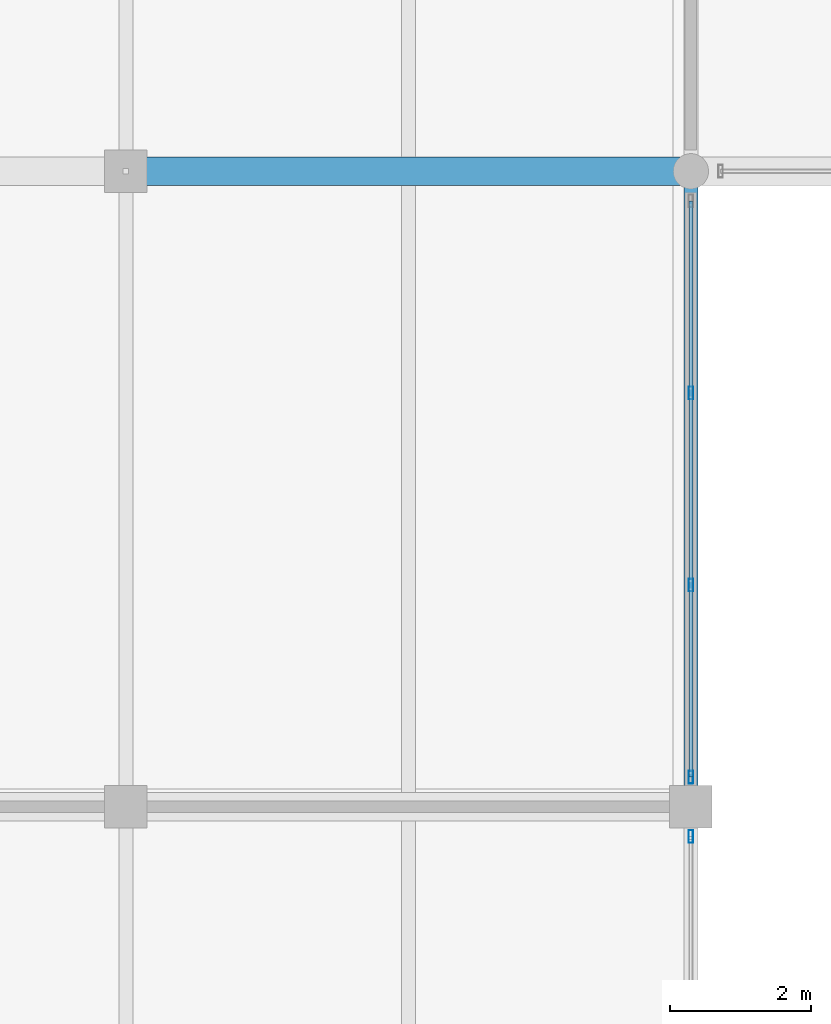
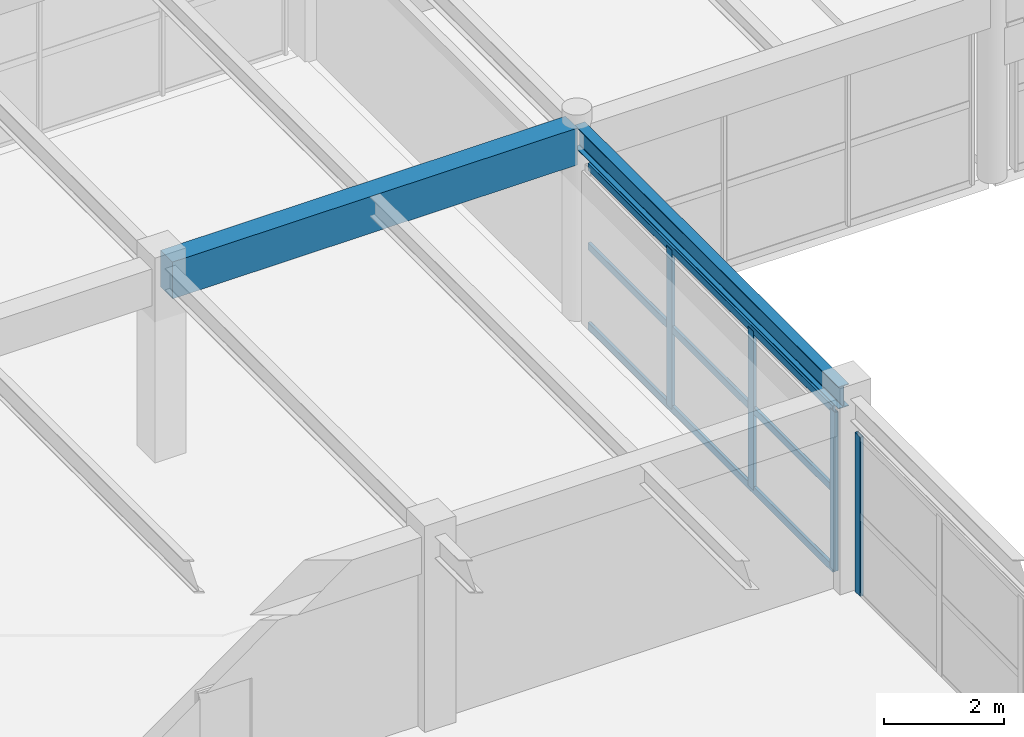
# One storey, part 16 of 126: 7 members, 2 beams, 2 elements without a shape of their own.
"""IFC4 building model written with IfcOpenShell, lengths in metres."""

from ifc_helpers import new_model, si_unit, direction, frame, origin, origin_2d, place, context, subcontext, project, spatial, rectangle, hollow_rectangle, i_section, extrude, material, material_profile, profile_set, type_object, element, aggregate, save


model = new_model("IFC4")

# Units and contexts
model_context = context("Model", 3, precision=1e-05, world=origin(), true_north=direction((0.0, 1.0)))
body_context = subcontext(model_context, "Body", "Model", "MODEL_VIEW")
ifc_project = project(units=[si_unit("LENGTHUNIT", "METRE"), si_unit("AREAUNIT", "SQUARE_METRE"), si_unit("VOLUMEUNIT", "CUBIC_METRE"), si_unit("PLANEANGLEUNIT", "RADIAN"), si_unit("MASSUNIT", "GRAM", prefix="KILO")], contexts=[model_context])

# Site, building, storey
site_placement = place(None, origin())
site = spatial("IfcSite", under=ifc_project, at=site_placement, CompositionType="ELEMENT")
building_placement = place(site_placement, origin())
building = spatial("IfcBuilding", under=site, at=building_placement, Name="Varnabhumi Central Station", CompositionType="ELEMENT")
storey_placement = place(building_placement, frame((0.0, 0.0, 16.199951171875)))
storey = spatial("IfcBuildingStorey", under=building, at=storey_placement, Name="L03", CompositionType="ELEMENT", Elevation=16.199951171875)

# Beams
ifc_material_1 = material(Name="Concrete M40", Category="concrete")
ifc_material_profile_1 = material_profile(ifc_material_1, rectangle(XDim=0.39990234375, YDim=0.75, at=origin_2d()), Name="Concrete M40", Category="concrete")
ifc_profile_set_1 = profile_set([ifc_material_profile_1], Name="Concrete M40")
beam_type_1 = type_object("IfcBeamType", Name="BM-RC-400x750", PredefinedType="BEAM", material=ifc_profile_set_1)
beam_1_placement = place(storey_placement, frame((104.10009765625, 27.0, 3.545166015625), z_axis=(1.0, 0.0, 0.0), x_axis=(0.0, 1.0, 0.0)))
element("IfcBeam", 1, at=beam_1_placement, inside=storey, type_object=beam_type_1, Name="Beam L03-D:14-15", PredefinedType="BEAM", context=body_context, shape_type="SweptSolid", body=[
    extrude(rectangle(XDim=0.39990234375, YDim=0.75, at=origin_2d()), origin(), (0.0, 0.0, 1.0), 7.7998046875),
])
ifc_material_2 = material(Name="Structural steel E350", Category="steel")
ifc_material_profile_2 = material_profile(ifc_material_2, i_section(OverallWidth=0.199951171875, OverallDepth=0.449951171875, WebThickness=0.00927734375, FlangeThickness=0.015380859375, FilletRadius=0.013916015625, at=origin_2d()), Name="Structural steel E350", Category="steel")
ifc_profile_set_2 = profile_set([ifc_material_profile_2], Name="Structural steel E350")
beam_type_2 = type_object("IfcBeamType", Name="BM-STL-ISWB450", PredefinedType="BEAM", material=ifc_profile_set_2)
beam_2_placement = place(storey_placement, frame((112.0, 18.10009765625, 3.695068359375), z_axis=(0.0, 1.0, 0.0), x_axis=(-1.0, 0.0, 0.0)))
element("IfcBeam", 2, at=beam_2_placement, inside=storey, type_object=beam_type_2, Name="Beam L03-15:C-D", PredefinedType="BEAM", context=body_context, shape_type="SweptSolid", body=[
    extrude(i_section(OverallWidth=0.199951171875, OverallDepth=0.449951171875, WebThickness=0.00927734375, FlangeThickness=0.015380859375, FilletRadius=0.013916015625, at=origin_2d()), origin(), (0.0, 0.0, 1.0), 8.7998046875),
])

# Curtain wall, member
ifc_material_3 = material(Name="Anodised aluminium 6063-T6", Category="aluminium")
curtain_wall_type = type_object("IfcCurtainWallType", Name="CW-PATIO-LOGGIA-L3", PredefinedType="NOTDEFINED", material=ifc_material_3)
curtain_wall_1_placement = place(storey_placement, origin())
curtain_wall_1 = element("IfcCurtainWall", 3, at=curtain_wall_1_placement, inside=storey, type_object=curtain_wall_type, Name="Curtain Wall CW-SP3E1", PredefinedType="NOTDEFINED")
ifc_material_profile_3 = material_profile(ifc_material_3, hollow_rectangle(XDim=0.06494140625, YDim=0.179931640625, WallThickness=0.00390625, InnerFilletRadius=0.001953125, OuterFilletRadius=0.006103515625, at=origin_2d()), Name="Anodised aluminium 6063-T6", Category="aluminium")
ifc_profile_set_3 = profile_set([ifc_material_profile_3], Name="Anodised aluminium 6063-T6")
member_type_1 = type_object("IfcMemberType", Name="CW-MUL-180", PredefinedType="MULLION", material=ifc_profile_set_3)
member_1_placement = place(storey_placement, frame((112.0, 17.580078125, 0.0), z_axis=(0.0, 0.0, 1.0), x_axis=(1.0, 0.0, 0.0)))
member_1 = element("IfcMember", 4, at=member_1_placement, type_object=member_type_1, Name="Curtain Wall Mullion CW-SP3E1-M4", PredefinedType="MULLION", context=body_context, shape_type="SweptSolid", body=[
    extrude(hollow_rectangle(XDim=0.06494140625, YDim=0.179931640625, WallThickness=0.00390625, InnerFilletRadius=0.001953125, OuterFilletRadius=0.006103515625, at=origin_2d()), origin(), (0.0, 0.0, 1.0), 3.239990234375),
])
aggregate(curtain_wall_1, [member_1])

# Curtain wall, members
curtain_wall_2_placement = place(storey_placement, origin())
curtain_wall_2 = element("IfcCurtainWall", 5, at=curtain_wall_2_placement, inside=storey, type_object=curtain_wall_type, Name="Curtain Wall CW-SP3E2", PredefinedType="NOTDEFINED")
member_2_placement = place(storey_placement, frame((112.0, 18.419921875, 0.0), z_axis=(0.0, 0.0, 1.0), x_axis=(1.0, 0.0, 0.0)))
member_2 = element("IfcMember", 6, at=member_2_placement, type_object=member_type_1, Name="Curtain Wall Mullion CW-SP3E2-M1", PredefinedType="MULLION", context=body_context, shape_type="SweptSolid", body=[
    extrude(hollow_rectangle(XDim=0.06494140625, YDim=0.179931640625, WallThickness=0.00390625, InnerFilletRadius=0.001953125, OuterFilletRadius=0.006103515625, at=origin_2d()), origin(), (0.0, 0.0, 1.0), 3.239990234375),
])
member_3_placement = place(storey_placement, frame((112.0, 21.139892578125, 0.0), z_axis=(0.0, 0.0, 1.0), x_axis=(1.0, 0.0, 0.0)))
member_3 = element("IfcMember", 7, at=member_3_placement, type_object=member_type_1, Name="Curtain Wall Mullion CW-SP3E2-M2", PredefinedType="MULLION", context=body_context, shape_type="SweptSolid", body=[
    extrude(hollow_rectangle(XDim=0.06494140625, YDim=0.179931640625, WallThickness=0.00390625, InnerFilletRadius=0.001953125, OuterFilletRadius=0.006103515625, at=origin_2d()), origin(), (0.0, 0.0, 1.0), 3.239990234375),
])
member_4_placement = place(storey_placement, frame((112.0, 23.860107421875, 0.0), z_axis=(0.0, 0.0, 1.0), x_axis=(1.0, 0.0, 0.0)))
member_4 = element("IfcMember", 8, at=member_4_placement, type_object=member_type_1, Name="Curtain Wall Mullion CW-SP3E2-M3", PredefinedType="MULLION", context=body_context, shape_type="SweptSolid", body=[
    extrude(hollow_rectangle(XDim=0.06494140625, YDim=0.179931640625, WallThickness=0.00390625, InnerFilletRadius=0.001953125, OuterFilletRadius=0.006103515625, at=origin_2d()), origin(), (0.0, 0.0, 1.0), 3.239990234375),
])
ifc_material_profile_4 = material_profile(ifc_material_3, hollow_rectangle(XDim=0.06005859375, YDim=0.14990234375, WallThickness=0.00390625, InnerFilletRadius=0.001953125, OuterFilletRadius=0.006103515625, at=origin_2d()), Name="Anodised aluminium 6063-T6", Category="aluminium")
ifc_profile_set_4 = profile_set([ifc_material_profile_4], Name="Anodised aluminium 6063-T6")
member_type_2 = type_object("IfcMemberType", Name="CW-TR-150", PredefinedType="USERDEFINED", material=ifc_profile_set_4)
member_5_placement = place(storey_placement, frame((112.0, 18.419921875, 0.0), z_axis=(0.0, 1.0, 0.0), x_axis=(-1.0, 0.0, 0.0)))
member_5 = element("IfcMember", 9, at=member_5_placement, type_object=member_type_2, Name="Curtain Wall Transom CW-SP3E2-T1", ObjectType="TRANSOM", PredefinedType="USERDEFINED", context=body_context, shape_type="SweptSolid", body=[
    extrude(hollow_rectangle(XDim=0.06005859375, YDim=0.14990234375, WallThickness=0.00390625, InnerFilletRadius=0.001953125, OuterFilletRadius=0.006103515625, at=origin_2d()), origin(), (0.0, 0.0, 1.0), 8.16015625),
])
member_6_placement = place(storey_placement, frame((112.0, 18.419921875, 1.6201171875), z_axis=(0.0, 1.0, 0.0), x_axis=(-1.0, 0.0, 0.0)))
member_6 = element("IfcMember", 10, at=member_6_placement, type_object=member_type_2, Name="Curtain Wall Transom CW-SP3E2-T2", ObjectType="TRANSOM", PredefinedType="USERDEFINED", context=body_context, shape_type="SweptSolid", body=[
    extrude(hollow_rectangle(XDim=0.06005859375, YDim=0.14990234375, WallThickness=0.00390625, InnerFilletRadius=0.001953125, OuterFilletRadius=0.006103515625, at=origin_2d()), origin(), (0.0, 0.0, 1.0), 8.16015625),
])
member_7_placement = place(storey_placement, frame((112.0, 18.419921875, 3.239990234375), z_axis=(0.0, 1.0, 0.0), x_axis=(-1.0, 0.0, 0.0)))
member_7 = element("IfcMember", 11, at=member_7_placement, type_object=member_type_2, Name="Curtain Wall Transom CW-SP3E2-T3", ObjectType="TRANSOM", PredefinedType="USERDEFINED", context=body_context, shape_type="SweptSolid", body=[
    extrude(hollow_rectangle(XDim=0.06005859375, YDim=0.14990234375, WallThickness=0.00390625, InnerFilletRadius=0.001953125, OuterFilletRadius=0.006103515625, at=origin_2d()), origin(), (0.0, 0.0, 1.0), 8.16015625),
])
aggregate(curtain_wall_2, [member_2, member_3, member_4, member_5, member_6, member_7])

save(model, "model.ifc")
